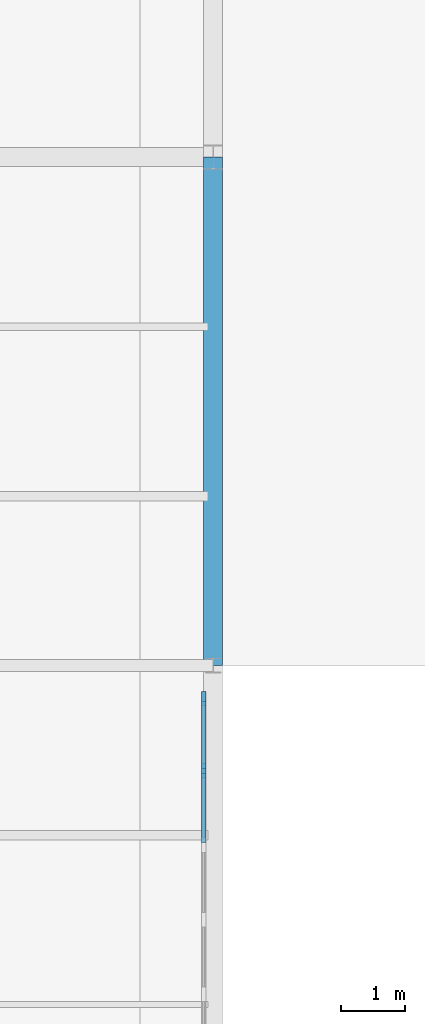
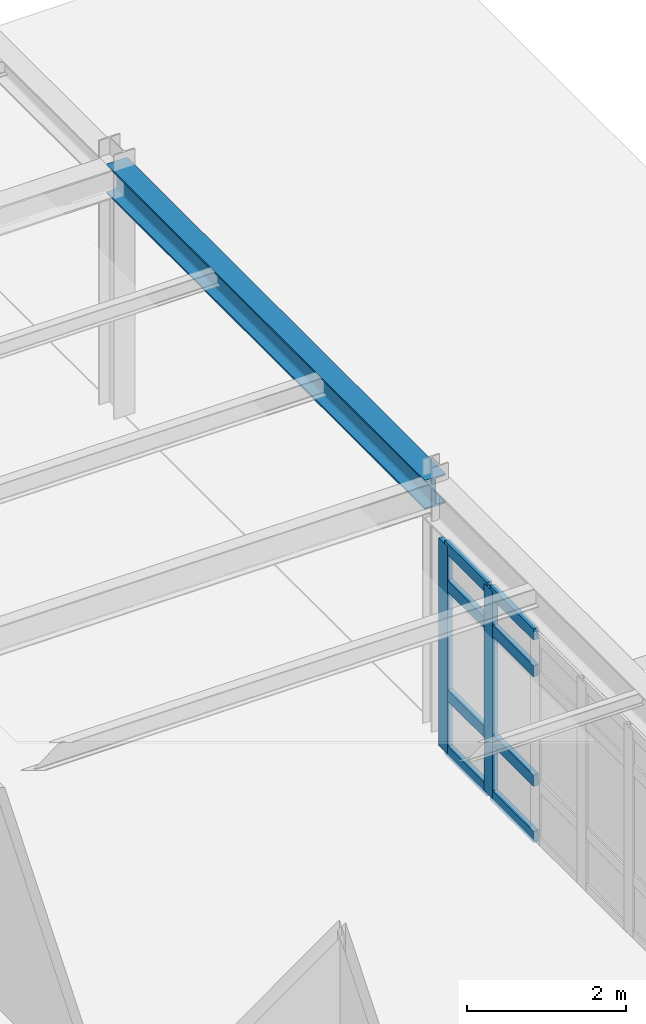
# One storey, part 15 of 58: 10 members, 1 beam, 1 element without a shape of its own.
"""IFC4 building model written with IfcOpenShell, lengths in metres."""

from ifc_helpers import new_model, si_unit, derived_unit, direction, frame, origin, origin_2d, place, context, subcontext, project, spatial, rectangle, i_section, extrude, material, layer, layer_set, material_profile, profile_set, type_object, element, aggregate, save


model = new_model("IFC4")

# Units and contexts
model_context = context("Model", 3, precision=1e-05, world=origin(), true_north=direction((0.0, 1.0)))
body_context = subcontext(model_context, "Body", "Model", "MODEL_VIEW")
ifc_project = project(units=[si_unit("LENGTHUNIT", "METRE"), si_unit("AREAUNIT", "SQUARE_METRE"), si_unit("VOLUMEUNIT", "CUBIC_METRE"), si_unit("PLANEANGLEUNIT", "RADIAN"), si_unit("MASSUNIT", "GRAM", prefix="KILO"), derived_unit("THERMALTRANSMITTANCEUNIT", [(si_unit("POWERUNIT", "WATT"), 1), (si_unit("AREAUNIT", "SQUARE_METRE"), -1), (si_unit("THERMODYNAMICTEMPERATUREUNIT", "KELVIN"), -1)])], contexts=[model_context])

# Site, building, storey
site_placement = place(None, origin())
site = spatial("IfcSite", under=ifc_project, at=site_placement, CompositionType="ELEMENT")
building_placement = place(site_placement, origin())
building = spatial("IfcBuilding", under=site, at=building_placement, Name="Yasenodar Specialist Clinic", CompositionType="ELEMENT")
storey_placement = place(building_placement, frame((0.0, 0.0, 17.25)))
storey = spatial("IfcBuildingStorey", under=building, at=storey_placement, Name="L04", CompositionType="ELEMENT", Elevation=17.25)

# Beam
ifc_material_1 = material(Name="Steel S355", Category="steel")
ifc_material_profile_1 = material_profile(ifc_material_1, i_section(OverallWidth=0.300048828125, OverallDepth=0.449951171875, WebThickness=0.013916015625, FlangeThickness=0.02587890625, FilletRadius=0.027099609375, at=origin_2d()), Name="HEB 450")
ifc_profile_set_1 = profile_set([ifc_material_profile_1], Name="Steel S355")
beam_type = type_object("IfcBeamType", Name="BM-HEB450", PredefinedType="BEAM", material=ifc_profile_set_1)
beam_placement = place(storey_placement, frame((16.800048828125, 50.800048828125, 3.574951171875), z_axis=(0.0, 1.0, 0.0), x_axis=(-1.0, 0.0, 0.0)))
element("IfcBeam", 1, at=beam_placement, inside=storey, type_object=beam_type, Name="L04 Primary N-S Girder", PredefinedType="BEAM", context=body_context, shape_type="SweptSolid", body=[
    extrude(i_section(OverallWidth=0.300048828125, OverallDepth=0.449951171875, WebThickness=0.013916015625, FlangeThickness=0.02587890625, FilletRadius=0.027099609375, at=origin_2d()), origin(), (0.0, 0.0, 1.0), 8.0),
])

# Curtain wall, members
ifc_material_2 = material(Name="Bronze Anodized Aluminium and Triple Low-E Glass", Category="aluminium")
ifc_layer = layer(ifc_material_2, 0.202880859375)
ifc_layer_set = layer_set([ifc_layer], Name="Bronze Anodized Aluminium and Triple Low-E Glass")
curtain_wall_type = type_object("IfcCurtainWallType", Name="CW-SYS-04", PredefinedType="USERDEFINED", material=ifc_layer_set)
curtain_wall_placement = place(storey_placement, origin())
curtain_wall = element("IfcCurtainWall", 2, at=curtain_wall_placement, inside=storey, type_object=curtain_wall_type, Name="L04 Unitised Curtain Wall 140", ObjectType="UNITISED CURTAIN WALL", PredefinedType="USERDEFINED")
ifc_material_3 = material(Name="Bronze Anodized Aluminium", Category="aluminium")
ifc_material_profile_2 = material_profile(ifc_material_3, rectangle(XDim=0.074951171875, YDim=0.22509765625, at=origin_2d()), Name="CW-MULL 75x225")
ifc_profile_set_2 = profile_set([ifc_material_profile_2], Name="Bronze Anodized Aluminium")
member_type_1 = type_object("IfcMemberType", Name="CW-MULL-225", PredefinedType="MULLION", material=ifc_profile_set_2)
member_1_placement = place(storey_placement, frame((16.64990234375, 50.282470703125, 0.0), z_axis=(0.0, 0.0, 1.0), x_axis=(1.0, 0.0, 0.0)))
member_1 = element("IfcMember", 3, at=member_1_placement, type_object=member_type_1, Name="CW-04 mullion 1", PredefinedType="MULLION", context=body_context, shape_type="SweptSolid", body=[
    extrude(rectangle(XDim=0.074951171875, YDim=0.22509765625, at=origin_2d()), origin(), (0.0, 0.0, 1.0), 3.177978515625),
])
member_2_placement = place(storey_placement, frame((16.64990234375, 49.146728515625, 0.0), z_axis=(0.0, 0.0, 1.0), x_axis=(1.0, 0.0, 0.0)))
member_2 = element("IfcMember", 4, at=member_2_placement, type_object=member_type_1, Name="CW-04 mullion 2", PredefinedType="MULLION", context=body_context, shape_type="SweptSolid", body=[
    extrude(rectangle(XDim=0.074951171875, YDim=0.22509765625, at=origin_2d()), origin(), (0.0, 0.0, 1.0), 3.177978515625),
])
ifc_material_profile_3 = material_profile(ifc_material_3, rectangle(XDim=0.074951171875, YDim=0.175048828125, at=origin_2d()), Name="CW-TRAN 75x175")
ifc_profile_set_3 = profile_set([ifc_material_profile_3], Name="Bronze Anodized Aluminium")
member_type_2 = type_object("IfcMemberType", Name="CW-TRAN-175", PredefinedType="USERDEFINED", material=ifc_profile_set_3)
member_3_placement = place(storey_placement, frame((16.64990234375, 50.2451171875, 0.03759765625), z_axis=(0.0, -1.0, 0.0), x_axis=(1.0, 0.0, 0.0)))
member_3 = element("IfcMember", 5, at=member_3_placement, type_object=member_type_2, Name="CW-04 transom 1.1", ObjectType="TRANSOM", PredefinedType="USERDEFINED", context=body_context, shape_type="SweptSolid", body=[
    extrude(rectangle(XDim=0.074951171875, YDim=0.175048828125, at=origin_2d()), origin(), (0.0, 0.0, 1.0), 1.06103515625),
])
member_4_placement = place(storey_placement, frame((16.64990234375, 50.2451171875, 0.89990234375), z_axis=(0.0, -1.0, 0.0), x_axis=(1.0, 0.0, 0.0)))
member_4 = element("IfcMember", 6, at=member_4_placement, type_object=member_type_2, Name="CW-04 transom 1.2", ObjectType="TRANSOM", PredefinedType="USERDEFINED", context=body_context, shape_type="SweptSolid", body=[
    extrude(rectangle(XDim=0.074951171875, YDim=0.175048828125, at=origin_2d()), origin(), (0.0, 0.0, 1.0), 1.06103515625),
])
member_5_placement = place(storey_placement, frame((16.64990234375, 50.2451171875, 2.577880859375), z_axis=(0.0, -1.0, 0.0), x_axis=(1.0, 0.0, 0.0)))
member_5 = element("IfcMember", 7, at=member_5_placement, type_object=member_type_2, Name="CW-04 transom 1.3", ObjectType="TRANSOM", PredefinedType="USERDEFINED", context=body_context, shape_type="SweptSolid", body=[
    extrude(rectangle(XDim=0.074951171875, YDim=0.175048828125, at=origin_2d()), origin(), (0.0, 0.0, 1.0), 1.06103515625),
])
member_6_placement = place(storey_placement, frame((16.64990234375, 50.2451171875, 3.140380859375), z_axis=(0.0, -1.0, 0.0), x_axis=(1.0, 0.0, 0.0)))
member_6 = element("IfcMember", 8, at=member_6_placement, type_object=member_type_2, Name="CW-04 transom 1.4", ObjectType="TRANSOM", PredefinedType="USERDEFINED", context=body_context, shape_type="SweptSolid", body=[
    extrude(rectangle(XDim=0.074951171875, YDim=0.175048828125, at=origin_2d()), origin(), (0.0, 0.0, 1.0), 1.06103515625),
])
member_7_placement = place(storey_placement, frame((16.64990234375, 49.109130859375, 0.03759765625), z_axis=(0.0, -1.0, 0.0), x_axis=(1.0, 0.0, 0.0)))
member_7 = element("IfcMember", 9, at=member_7_placement, type_object=member_type_2, Name="CW-04 transom 2.1", ObjectType="TRANSOM", PredefinedType="USERDEFINED", context=body_context, shape_type="SweptSolid", body=[
    extrude(rectangle(XDim=0.074951171875, YDim=0.175048828125, at=origin_2d()), origin(), (0.0, 0.0, 1.0), 1.098388671875),
])
member_8_placement = place(storey_placement, frame((16.64990234375, 49.109130859375, 0.89990234375), z_axis=(0.0, -1.0, 0.0), x_axis=(1.0, 0.0, 0.0)))
member_8 = element("IfcMember", 10, at=member_8_placement, type_object=member_type_2, Name="CW-04 transom 2.2", ObjectType="TRANSOM", PredefinedType="USERDEFINED", context=body_context, shape_type="SweptSolid", body=[
    extrude(rectangle(XDim=0.074951171875, YDim=0.175048828125, at=origin_2d()), origin(), (0.0, 0.0, 1.0), 1.098388671875),
])
member_9_placement = place(storey_placement, frame((16.64990234375, 49.109130859375, 2.577880859375), z_axis=(0.0, -1.0, 0.0), x_axis=(1.0, 0.0, 0.0)))
member_9 = element("IfcMember", 11, at=member_9_placement, type_object=member_type_2, Name="CW-04 transom 2.3", ObjectType="TRANSOM", PredefinedType="USERDEFINED", context=body_context, shape_type="SweptSolid", body=[
    extrude(rectangle(XDim=0.074951171875, YDim=0.175048828125, at=origin_2d()), origin(), (0.0, 0.0, 1.0), 1.098388671875),
])
member_10_placement = place(storey_placement, frame((16.64990234375, 49.109130859375, 3.140380859375), z_axis=(0.0, -1.0, 0.0), x_axis=(1.0, 0.0, 0.0)))
member_10 = element("IfcMember", 12, at=member_10_placement, type_object=member_type_2, Name="CW-04 transom 2.4", ObjectType="TRANSOM", PredefinedType="USERDEFINED", context=body_context, shape_type="SweptSolid", body=[
    extrude(rectangle(XDim=0.074951171875, YDim=0.175048828125, at=origin_2d()), origin(), (0.0, 0.0, 1.0), 1.098388671875),
])
aggregate(curtain_wall, [member_1, member_2, member_3, member_4, member_5, member_6, member_7, member_8, member_9, member_10])

save(model, "model.ifc")
